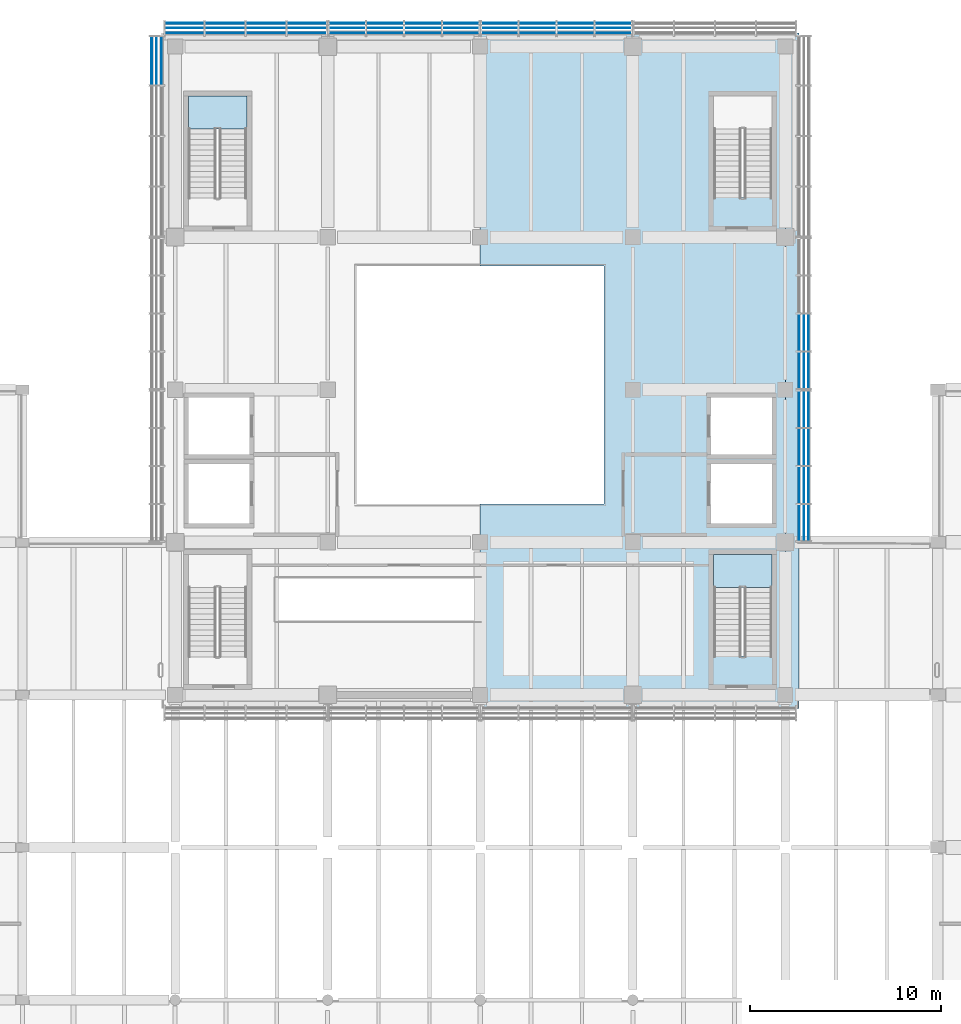
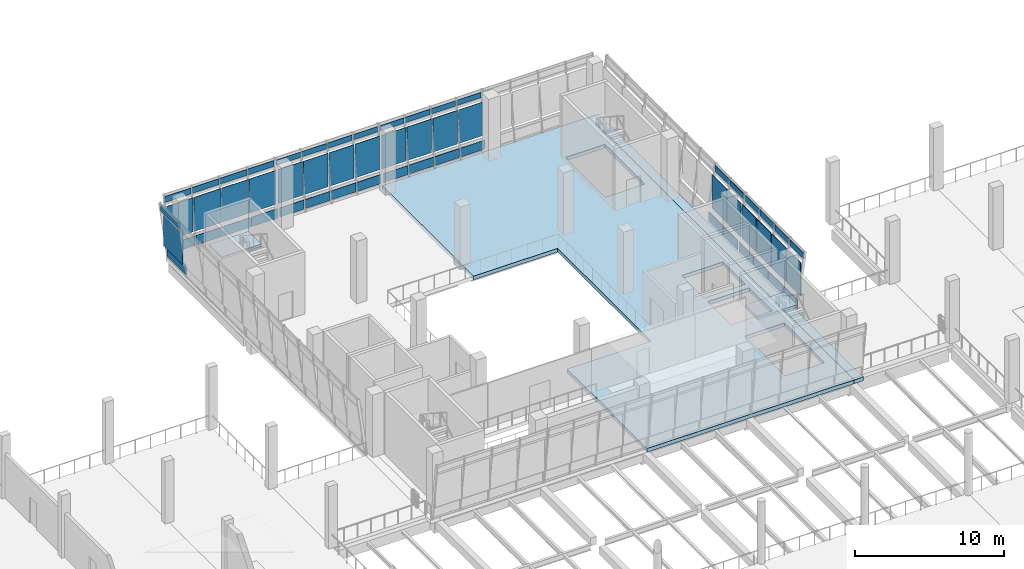
# One storey, part 29 of 61: 57 plates, 4 slabs, 8 elements without a shape of their own.
"""IFC4 building model written with IfcOpenShell, lengths in metres."""

from ifc_helpers import new_model, si_unit, direction, frame, origin, origin_2d, place, context, subcontext, project, spatial, polyline, rectangle, outline, extrude, material, layer, layer_set, type_object, element, aggregate, save


model = new_model("IFC4")

# Units and contexts
model_context = context("Model", 3, precision=1e-05, world=origin(), true_north=direction((0.0, 1.0)))
body_context = subcontext(model_context, "Body", "Model", "MODEL_VIEW")
ifc_project = project(units=[si_unit("LENGTHUNIT", "METRE"), si_unit("AREAUNIT", "SQUARE_METRE"), si_unit("VOLUMEUNIT", "CUBIC_METRE"), si_unit("PLANEANGLEUNIT", "RADIAN"), si_unit("MASSUNIT", "GRAM", prefix="KILO")], contexts=[model_context])

# Site, building, storey
site_placement = place(None, origin())
site = spatial("IfcSite", under=ifc_project, at=site_placement, CompositionType="ELEMENT")
building_placement = place(site_placement, origin())
building = spatial("IfcBuilding", under=site, at=building_placement, Name="Pecanmere Concourse Central Library", CompositionType="ELEMENT")
storey_placement = place(building_placement, frame((0.0, 0.0, 5.39990234375)))
storey = spatial("IfcBuildingStorey", under=building, at=storey_placement, Name="L02", CompositionType="ELEMENT", Elevation=5.39990234375)

# Curtain wall, plates
ifc_material_1 = material(Name="Anodized bronze aluminium alloy 6063-T6", Category="aluminium")
curtain_wall_type_1 = type_object("IfcCurtainWallType", Name="CW_PORTAL_CLEAR", PredefinedType="USERDEFINED", material=ifc_material_1)
curtain_wall_1_placement = place(storey_placement, origin())
curtain_wall_1 = element("IfcCurtainWall", 1, at=curtain_wall_1_placement, inside=storey, type_object=curtain_wall_type_1, Name="Unitised Curtain Wall CW-03 L02-009", ObjectType="UNITISED CURTAIN WALL", PredefinedType="USERDEFINED")
ifc_material_2 = material(Name="White ceramic-fritted insulated spandrel glazing", Category="glass")
ifc_layer_1 = layer(ifc_material_2, 0.06396484375, Name="CWP_SPN_64")
ifc_layer_set_1 = layer_set([ifc_layer_1], Name="White ceramic-fritted insulated spandrel glazing")
plate_type_1 = type_object("IfcPlateType", Name="CWP_SPN_64", PredefinedType="CURTAIN_PANEL", material=ifc_layer_set_1)
plate_1_placement = place(storey_placement, frame((94.97509765625, 124.717529296875, 0.2099609375), z_axis=(0.0, 0.0, 1.0), x_axis=(-1.0, 0.0, 0.0)))
plate_1 = element("IfcPlate", 2, at=plate_1_placement, type_object=plate_type_1, Name="CW-03 Spandrel Panel 1.1", PredefinedType="CURTAIN_PANEL", context=body_context, shape_type="SweptSolid", body=[
    extrude(rectangle(XDim=1.8701171875, YDim=0.0419921875, at=origin_2d()), origin(), (0.0, 0.0, 1.0), 0.735107421875),
])
plate_2_placement = place(storey_placement, frame((92.998779296875, 124.717529296875, 0.2099609375), z_axis=(0.0, 0.0, 1.0), x_axis=(-1.0, 0.0, 0.0)))
plate_2 = element("IfcPlate", 3, at=plate_2_placement, type_object=plate_type_1, Name="CW-03 Spandrel Panel 2.1", PredefinedType="CURTAIN_PANEL", context=body_context, shape_type="SweptSolid", body=[
    extrude(rectangle(XDim=1.91259765625, YDim=0.0419921875, at=origin_2d()), origin(), (0.0, 0.0, 1.0), 0.735107421875),
])
plate_3_placement = place(storey_placement, frame((91.001220703125, 124.717529296875, 0.2099609375), z_axis=(0.0, 0.0, 1.0), x_axis=(-1.0, 0.0, 0.0)))
plate_3 = element("IfcPlate", 4, at=plate_3_placement, type_object=plate_type_1, Name="CW-03 Spandrel Panel 3.1", PredefinedType="CURTAIN_PANEL", context=body_context, shape_type="SweptSolid", body=[
    extrude(rectangle(XDim=1.91259765625, YDim=0.0419921875, at=origin_2d()), origin(), (0.0, 0.0, 1.0), 0.735107421875),
])
plate_4_placement = place(storey_placement, frame((89.02490234375, 124.717529296875, 0.2099609375), z_axis=(0.0, 0.0, 1.0), x_axis=(-1.0, 0.0, 0.0)))
plate_4 = element("IfcPlate", 5, at=plate_4_placement, type_object=plate_type_1, Name="CW-03 Spandrel Panel 4.1", PredefinedType="CURTAIN_PANEL", context=body_context, shape_type="SweptSolid", body=[
    extrude(rectangle(XDim=1.8701171875, YDim=0.0419921875, at=origin_2d()), origin(), (0.0, 0.0, 1.0), 0.735107421875),
])

curtain_wall_2_placement = place(storey_placement, origin())
curtain_wall_2 = element("IfcCurtainWall", 6, at=curtain_wall_2_placement, inside=storey, type_object=curtain_wall_type_1, Name="Unitised Curtain Wall CW-03 L02-010", ObjectType="UNITISED CURTAIN WALL", PredefinedType="USERDEFINED")
plate_5_placement = place(storey_placement, frame((86.97509765625, 124.717529296875, 0.2099609375), z_axis=(0.0, 0.0, 1.0), x_axis=(-1.0, 0.0, 0.0)))
plate_5 = element("IfcPlate", 7, at=plate_5_placement, type_object=plate_type_1, Name="CW-03 Spandrel Panel 1.1", PredefinedType="CURTAIN_PANEL", context=body_context, shape_type="SweptSolid", body=[
    extrude(rectangle(XDim=1.8701171875, YDim=0.0419921875, at=origin_2d()), origin(), (0.0, 0.0, 1.0), 0.735107421875),
])
plate_6_placement = place(storey_placement, frame((84.998779296875, 124.717529296875, 0.2099609375), z_axis=(0.0, 0.0, 1.0), x_axis=(-1.0, 0.0, 0.0)))
plate_6 = element("IfcPlate", 8, at=plate_6_placement, type_object=plate_type_1, Name="CW-03 Spandrel Panel 2.1", PredefinedType="CURTAIN_PANEL", context=body_context, shape_type="SweptSolid", body=[
    extrude(rectangle(XDim=1.91259765625, YDim=0.0419921875, at=origin_2d()), origin(), (0.0, 0.0, 1.0), 0.735107421875),
])
plate_7_placement = place(storey_placement, frame((83.001220703125, 124.717529296875, 0.2099609375), z_axis=(0.0, 0.0, 1.0), x_axis=(-1.0, 0.0, 0.0)))
plate_7 = element("IfcPlate", 9, at=plate_7_placement, type_object=plate_type_1, Name="CW-03 Spandrel Panel 3.1", PredefinedType="CURTAIN_PANEL", context=body_context, shape_type="SweptSolid", body=[
    extrude(rectangle(XDim=1.91259765625, YDim=0.0419921875, at=origin_2d()), origin(), (0.0, 0.0, 1.0), 0.735107421875),
])
plate_8_placement = place(storey_placement, frame((81.02490234375, 124.717529296875, 0.2099609375), z_axis=(0.0, 0.0, 1.0), x_axis=(-1.0, 0.0, 0.0)))
plate_8 = element("IfcPlate", 10, at=plate_8_placement, type_object=plate_type_1, Name="CW-03 Spandrel Panel 4.1", PredefinedType="CURTAIN_PANEL", context=body_context, shape_type="SweptSolid", body=[
    extrude(rectangle(XDim=1.8701171875, YDim=0.0419921875, at=origin_2d()), origin(), (0.0, 0.0, 1.0), 0.735107421875),
])

ifc_material_3 = material(Name="Anodized bronze aluminium alloy 6063-T6", Category="aluminium")
curtain_wall_type_2 = type_object("IfcCurtainWallType", Name="CW_LEAN_BANDED", PredefinedType="USERDEFINED", material=ifc_material_3)
curtain_wall_3_placement = place(storey_placement, origin())
curtain_wall_3 = element("IfcCurtainWall", 11, at=curtain_wall_3_placement, inside=storey, type_object=curtain_wall_type_2, Name="Unitised Curtain Wall CW-01 L02-011", ObjectType="UNITISED CURTAIN WALL", PredefinedType="USERDEFINED")
plate_9_placement = place(storey_placement, frame((78.90185546875, 124.716552734375, 0.18017578125), z_axis=(0.0, 0.0, 1.0), x_axis=(-1.0, 0.0, 0.0)))
plate_9 = element("IfcPlate", 12, at=plate_9_placement, type_object=plate_type_1, Name="CW-01 Spandrel Panel 1.1", PredefinedType="CURTAIN_PANEL", context=body_context, shape_type="SweptSolid", body=[
    extrude(rectangle(XDim=2.036376953125, YDim=0.0419921875, at=origin_2d()), origin(), (0.0, 0.0, 1.0), 0.780029296875),
])
plate_10_placement = place(storey_placement, frame((76.771728515625, 124.716552734375, 0.18017578125), z_axis=(0.0, 0.0, 1.0), x_axis=(-1.0, 0.0, 0.0)))
plate_10 = element("IfcPlate", 13, at=plate_10_placement, type_object=plate_type_1, Name="CW-01 Spandrel Panel 2.1", PredefinedType="CURTAIN_PANEL", context=body_context, shape_type="SweptSolid", body=[
    extrude(rectangle(XDim=2.073974609375, YDim=0.0419921875, at=origin_2d()), origin(), (0.0, 0.0, 1.0), 0.780029296875),
])
plate_11_placement = place(storey_placement, frame((74.622802734375, 124.716552734375, 0.18017578125), z_axis=(0.0, 0.0, 1.0), x_axis=(-1.0, 0.0, 0.0)))
plate_11 = element("IfcPlate", 14, at=plate_11_placement, type_object=plate_type_1, Name="CW-01 Spandrel Panel 3.1", PredefinedType="CURTAIN_PANEL", context=body_context, shape_type="SweptSolid", body=[
    extrude(rectangle(XDim=2.073974609375, YDim=0.0419921875, at=origin_2d()), origin(), (0.0, 0.0, 1.0), 0.780029296875),
])
plate_12_placement = place(storey_placement, frame((72.49267578125, 124.716552734375, 0.18017578125), z_axis=(0.0, 0.0, 1.0), x_axis=(-1.0, 0.0, 0.0)))
plate_12 = element("IfcPlate", 15, at=plate_12_placement, type_object=plate_type_1, Name="CW-01 Spandrel Panel 4.1", PredefinedType="CURTAIN_PANEL", context=body_context, shape_type="SweptSolid", body=[
    extrude(rectangle(XDim=2.036376953125, YDim=0.0419921875, at=origin_2d()), origin(), (0.0, 0.0, 1.0), 0.780029296875),
])

curtain_wall_4_placement = place(storey_placement, origin())
curtain_wall_4 = element("IfcCurtainWall", 16, at=curtain_wall_4_placement, inside=storey, type_object=curtain_wall_type_2, Name="Unitised Curtain Wall CW-01 L02-016", ObjectType="UNITISED CURTAIN WALL", PredefinedType="USERDEFINED")
plate_13_placement = place(storey_placement, frame((104.716552734375, 99.0224609375, 0.18017578125), z_axis=(0.0, 0.0, 1.0), x_axis=(0.0, 1.0, 0.0)))
plate_13 = element("IfcPlate", 17, at=plate_13_placement, type_object=plate_type_1, Name="CW-01 Spandrel Panel 1.1", PredefinedType="CURTAIN_PANEL", context=body_context, shape_type="SweptSolid", body=[
    extrude(rectangle(XDim=1.885009765625, YDim=0.0419921875, at=origin_2d()), origin(), (0.0, 0.0, 1.0), 0.780029296875),
])
plate_14_placement = place(storey_placement, frame((104.716552734375, 101.001220703125, 0.18017578125), z_axis=(0.0, 0.0, 1.0), x_axis=(0.0, 1.0, 0.0)))
plate_14 = element("IfcPlate", 18, at=plate_14_placement, type_object=plate_type_1, Name="CW-01 Spandrel Panel 2.1", PredefinedType="CURTAIN_PANEL", context=body_context, shape_type="SweptSolid", body=[
    extrude(rectangle(XDim=1.922607421875, YDim=0.0419921875, at=origin_2d()), origin(), (0.0, 0.0, 1.0), 0.780029296875),
])
plate_15_placement = place(storey_placement, frame((104.716552734375, 102.998779296875, 0.18017578125), z_axis=(0.0, 0.0, 1.0), x_axis=(0.0, 1.0, 0.0)))
plate_15 = element("IfcPlate", 19, at=plate_15_placement, type_object=plate_type_1, Name="CW-01 Spandrel Panel 3.1", PredefinedType="CURTAIN_PANEL", context=body_context, shape_type="SweptSolid", body=[
    extrude(rectangle(XDim=1.922607421875, YDim=0.0419921875, at=origin_2d()), origin(), (0.0, 0.0, 1.0), 0.780029296875),
])
plate_16_placement = place(storey_placement, frame((104.716552734375, 104.9775390625, 0.18017578125), z_axis=(0.0, 0.0, 1.0), x_axis=(0.0, 1.0, 0.0)))
plate_16 = element("IfcPlate", 20, at=plate_16_placement, type_object=plate_type_1, Name="CW-01 Spandrel Panel 4.1", PredefinedType="CURTAIN_PANEL", context=body_context, shape_type="SweptSolid", body=[
    extrude(rectangle(XDim=1.885009765625, YDim=0.0419921875, at=origin_2d()), origin(), (0.0, 0.0, 1.0), 0.780029296875),
])

curtain_wall_5_placement = place(storey_placement, origin())
curtain_wall_5 = element("IfcCurtainWall", 21, at=curtain_wall_5_placement, inside=storey, type_object=curtain_wall_type_2, Name="Unitised Curtain Wall CW-01 L02-017", ObjectType="UNITISED CURTAIN WALL", PredefinedType="USERDEFINED")
plate_17_placement = place(storey_placement, frame((104.716552734375, 107.0224609375, 0.18017578125), z_axis=(0.0, 0.0, 1.0), x_axis=(0.0, 1.0, 0.0)))
plate_17 = element("IfcPlate", 22, at=plate_17_placement, type_object=plate_type_1, Name="CW-01 Spandrel Panel 1.1", PredefinedType="CURTAIN_PANEL", context=body_context, shape_type="SweptSolid", body=[
    extrude(rectangle(XDim=1.885009765625, YDim=0.0419921875, at=origin_2d()), origin(), (0.0, 0.0, 1.0), 0.780029296875),
])
plate_18_placement = place(storey_placement, frame((104.716552734375, 109.001220703125, 0.18017578125), z_axis=(0.0, 0.0, 1.0), x_axis=(0.0, 1.0, 0.0)))
plate_18 = element("IfcPlate", 23, at=plate_18_placement, type_object=plate_type_1, Name="CW-01 Spandrel Panel 2.1", PredefinedType="CURTAIN_PANEL", context=body_context, shape_type="SweptSolid", body=[
    extrude(rectangle(XDim=1.922607421875, YDim=0.0419921875, at=origin_2d()), origin(), (0.0, 0.0, 1.0), 0.780029296875),
])

# Curtain wall, plate
curtain_wall_6_placement = place(storey_placement, origin())
curtain_wall_6 = element("IfcCurtainWall", 24, at=curtain_wall_6_placement, inside=storey, type_object=curtain_wall_type_2, Name="Unitised Curtain Wall CW-01 L02-019", ObjectType="UNITISED CURTAIN WALL", PredefinedType="USERDEFINED")
plate_19_placement = place(storey_placement, frame((71.283447265625, 123.25732421875, 0.18017578125), z_axis=(0.0, 0.0, 1.0), x_axis=(0.0, -1.0, 0.0)))
plate_19 = element("IfcPlate", 25, at=plate_19_placement, type_object=plate_type_1, Name="CW-01 Spandrel Panel 1.1", PredefinedType="CURTAIN_PANEL", context=body_context, shape_type="SweptSolid", body=[
    extrude(rectangle(XDim=2.536376953125, YDim=0.0419921875, at=origin_2d()), origin(), (0.0, 0.0, 1.0), 0.780029296875),
])

# Plate
ifc_material_4 = material(Name="Low-iron clear insulated glazing", Category="glass")
ifc_layer_2 = layer(ifc_material_4, 0.0419921875, Name="CWP_VIS_42")
ifc_layer_set_2 = layer_set([ifc_layer_2], Name="Low-iron clear insulated glazing")
plate_type_2 = type_object("IfcPlateType", Name="CWP_VIS_42", PredefinedType="CURTAIN_PANEL", material=ifc_layer_set_2)
plate_20_placement = place(storey_placement, frame((94.97509765625, 124.97802734375, 1.155029296875), z_axis=(0.0, 0.0, 1.0), x_axis=(-1.0, 0.0, 0.0)))
plate_20 = element("IfcPlate", 26, at=plate_20_placement, type_object=plate_type_2, Name="CW-03 Vision Panel 1.2", PredefinedType="CURTAIN_PANEL", context=body_context, shape_type="SweptSolid", body=[
    extrude(rectangle(XDim=1.8701171875, YDim=0.0419921875, at=origin_2d()), origin(), (0.0, 0.0, 1.0), 2.75),
])

plate_21_placement = place(storey_placement, frame((94.97509765625, 125.218505859375, 4.114990234375), z_axis=(0.0, 0.0, 1.0), x_axis=(-1.0, 0.0, 0.0)))
plate_21 = element("IfcPlate", 27, at=plate_21_placement, type_object=plate_type_2, Name="CW-03 Vision Panel 1.3", PredefinedType="CURTAIN_PANEL", context=body_context, shape_type="SweptSolid", body=[
    extrude(rectangle(XDim=1.8701171875, YDim=0.0419921875, at=origin_2d()), origin(), (0.0, 0.0, 1.0), 0.43505859375),
])

plate_22_placement = place(storey_placement, frame((92.998779296875, 124.97802734375, 1.155029296875), z_axis=(0.0, 0.0, 1.0), x_axis=(-1.0, 0.0, 0.0)))
plate_22 = element("IfcPlate", 28, at=plate_22_placement, type_object=plate_type_2, Name="CW-03 Vision Panel 2.2", PredefinedType="CURTAIN_PANEL", context=body_context, shape_type="SweptSolid", body=[
    extrude(rectangle(XDim=1.91259765625, YDim=0.0419921875, at=origin_2d()), origin(), (0.0, 0.0, 1.0), 2.75),
])

plate_23_placement = place(storey_placement, frame((92.998779296875, 125.218505859375, 4.114990234375), z_axis=(0.0, 0.0, 1.0), x_axis=(-1.0, 0.0, 0.0)))
plate_23 = element("IfcPlate", 29, at=plate_23_placement, type_object=plate_type_2, Name="CW-03 Vision Panel 2.3", PredefinedType="CURTAIN_PANEL", context=body_context, shape_type="SweptSolid", body=[
    extrude(rectangle(XDim=1.91259765625, YDim=0.0419921875, at=origin_2d()), origin(), (0.0, 0.0, 1.0), 0.43505859375),
])

plate_24_placement = place(storey_placement, frame((91.001220703125, 124.97802734375, 1.155029296875), z_axis=(0.0, 0.0, 1.0), x_axis=(-1.0, 0.0, 0.0)))
plate_24 = element("IfcPlate", 30, at=plate_24_placement, type_object=plate_type_2, Name="CW-03 Vision Panel 3.2", PredefinedType="CURTAIN_PANEL", context=body_context, shape_type="SweptSolid", body=[
    extrude(rectangle(XDim=1.91259765625, YDim=0.0419921875, at=origin_2d()), origin(), (0.0, 0.0, 1.0), 2.75),
])

plate_25_placement = place(storey_placement, frame((91.001220703125, 125.218505859375, 4.114990234375), z_axis=(0.0, 0.0, 1.0), x_axis=(-1.0, 0.0, 0.0)))
plate_25 = element("IfcPlate", 31, at=plate_25_placement, type_object=plate_type_2, Name="CW-03 Vision Panel 3.3", PredefinedType="CURTAIN_PANEL", context=body_context, shape_type="SweptSolid", body=[
    extrude(rectangle(XDim=1.91259765625, YDim=0.0419921875, at=origin_2d()), origin(), (0.0, 0.0, 1.0), 0.43505859375),
])

plate_26_placement = place(storey_placement, frame((89.02490234375, 124.97802734375, 1.155029296875), z_axis=(0.0, 0.0, 1.0), x_axis=(-1.0, 0.0, 0.0)))
plate_26 = element("IfcPlate", 32, at=plate_26_placement, type_object=plate_type_2, Name="CW-03 Vision Panel 4.2", PredefinedType="CURTAIN_PANEL", context=body_context, shape_type="SweptSolid", body=[
    extrude(rectangle(XDim=1.8701171875, YDim=0.0419921875, at=origin_2d()), origin(), (0.0, 0.0, 1.0), 2.75),
])

plate_27_placement = place(storey_placement, frame((89.02490234375, 125.218505859375, 4.114990234375), z_axis=(0.0, 0.0, 1.0), x_axis=(-1.0, 0.0, 0.0)))
plate_27 = element("IfcPlate", 33, at=plate_27_placement, type_object=plate_type_2, Name="CW-03 Vision Panel 4.3", PredefinedType="CURTAIN_PANEL", context=body_context, shape_type="SweptSolid", body=[
    extrude(rectangle(XDim=1.8701171875, YDim=0.0419921875, at=origin_2d()), origin(), (0.0, 0.0, 1.0), 0.43505859375),
])

aggregate(curtain_wall_1, [plate_1, plate_20, plate_21, plate_2, plate_22, plate_23, plate_3, plate_24, plate_25, plate_4, plate_26, plate_27])

plate_28_placement = place(storey_placement, frame((86.97509765625, 124.97802734375, 1.155029296875), z_axis=(0.0, 0.0, 1.0), x_axis=(-1.0, 0.0, 0.0)))
plate_28 = element("IfcPlate", 34, at=plate_28_placement, type_object=plate_type_2, Name="CW-03 Vision Panel 1.2", PredefinedType="CURTAIN_PANEL", context=body_context, shape_type="SweptSolid", body=[
    extrude(rectangle(XDim=1.8701171875, YDim=0.0419921875, at=origin_2d()), origin(), (0.0, 0.0, 1.0), 2.75),
])

plate_29_placement = place(storey_placement, frame((86.97509765625, 125.218505859375, 4.114990234375), z_axis=(0.0, 0.0, 1.0), x_axis=(-1.0, 0.0, 0.0)))
plate_29 = element("IfcPlate", 35, at=plate_29_placement, type_object=plate_type_2, Name="CW-03 Vision Panel 1.3", PredefinedType="CURTAIN_PANEL", context=body_context, shape_type="SweptSolid", body=[
    extrude(rectangle(XDim=1.8701171875, YDim=0.0419921875, at=origin_2d()), origin(), (0.0, 0.0, 1.0), 0.43505859375),
])

plate_30_placement = place(storey_placement, frame((84.998779296875, 124.97802734375, 1.155029296875), z_axis=(0.0, 0.0, 1.0), x_axis=(-1.0, 0.0, 0.0)))
plate_30 = element("IfcPlate", 36, at=plate_30_placement, type_object=plate_type_2, Name="CW-03 Vision Panel 2.2", PredefinedType="CURTAIN_PANEL", context=body_context, shape_type="SweptSolid", body=[
    extrude(rectangle(XDim=1.91259765625, YDim=0.0419921875, at=origin_2d()), origin(), (0.0, 0.0, 1.0), 2.75),
])

plate_31_placement = place(storey_placement, frame((84.998779296875, 125.218505859375, 4.114990234375), z_axis=(0.0, 0.0, 1.0), x_axis=(-1.0, 0.0, 0.0)))
plate_31 = element("IfcPlate", 37, at=plate_31_placement, type_object=plate_type_2, Name="CW-03 Vision Panel 2.3", PredefinedType="CURTAIN_PANEL", context=body_context, shape_type="SweptSolid", body=[
    extrude(rectangle(XDim=1.91259765625, YDim=0.0419921875, at=origin_2d()), origin(), (0.0, 0.0, 1.0), 0.43505859375),
])

plate_32_placement = place(storey_placement, frame((83.001220703125, 124.97802734375, 1.155029296875), z_axis=(0.0, 0.0, 1.0), x_axis=(-1.0, 0.0, 0.0)))
plate_32 = element("IfcPlate", 38, at=plate_32_placement, type_object=plate_type_2, Name="CW-03 Vision Panel 3.2", PredefinedType="CURTAIN_PANEL", context=body_context, shape_type="SweptSolid", body=[
    extrude(rectangle(XDim=1.91259765625, YDim=0.0419921875, at=origin_2d()), origin(), (0.0, 0.0, 1.0), 2.75),
])

plate_33_placement = place(storey_placement, frame((83.001220703125, 125.218505859375, 4.114990234375), z_axis=(0.0, 0.0, 1.0), x_axis=(-1.0, 0.0, 0.0)))
plate_33 = element("IfcPlate", 39, at=plate_33_placement, type_object=plate_type_2, Name="CW-03 Vision Panel 3.3", PredefinedType="CURTAIN_PANEL", context=body_context, shape_type="SweptSolid", body=[
    extrude(rectangle(XDim=1.91259765625, YDim=0.0419921875, at=origin_2d()), origin(), (0.0, 0.0, 1.0), 0.43505859375),
])

plate_34_placement = place(storey_placement, frame((81.02490234375, 124.97802734375, 1.155029296875), z_axis=(0.0, 0.0, 1.0), x_axis=(-1.0, 0.0, 0.0)))
plate_34 = element("IfcPlate", 40, at=plate_34_placement, type_object=plate_type_2, Name="CW-03 Vision Panel 4.2", PredefinedType="CURTAIN_PANEL", context=body_context, shape_type="SweptSolid", body=[
    extrude(rectangle(XDim=1.8701171875, YDim=0.0419921875, at=origin_2d()), origin(), (0.0, 0.0, 1.0), 2.75),
])

plate_35_placement = place(storey_placement, frame((81.02490234375, 125.218505859375, 4.114990234375), z_axis=(0.0, 0.0, 1.0), x_axis=(-1.0, 0.0, 0.0)))
plate_35 = element("IfcPlate", 41, at=plate_35_placement, type_object=plate_type_2, Name="CW-03 Vision Panel 4.3", PredefinedType="CURTAIN_PANEL", context=body_context, shape_type="SweptSolid", body=[
    extrude(rectangle(XDim=1.8701171875, YDim=0.0419921875, at=origin_2d()), origin(), (0.0, 0.0, 1.0), 0.43505859375),
])

aggregate(curtain_wall_2, [plate_5, plate_28, plate_29, plate_6, plate_30, plate_31, plate_7, plate_32, plate_33, plate_8, plate_34, plate_35])

plate_36_placement = place(storey_placement, frame((78.90185546875, 124.97802734375, 1.14013671875), z_axis=(0.0, 0.0, 1.0), x_axis=(-1.0, 0.0, 0.0)))
plate_36 = element("IfcPlate", 42, at=plate_36_placement, type_object=plate_type_2, Name="CW-01 Vision Panel 1.2", PredefinedType="CURTAIN_PANEL", context=body_context, shape_type="SweptSolid", body=[
    extrude(rectangle(XDim=2.036376953125, YDim=0.0419921875, at=origin_2d()), origin(), (0.0, 0.0, 1.0), 2.780029296875),
])

plate_37_placement = place(storey_placement, frame((78.90185546875, 125.219482421875, 4.10009765625), z_axis=(0.0, 0.0, 1.0), x_axis=(-1.0, 0.0, 0.0)))
plate_37 = element("IfcPlate", 43, at=plate_37_placement, type_object=plate_type_2, Name="CW-01 Vision Panel 1.3", PredefinedType="CURTAIN_PANEL", context=body_context, shape_type="SweptSolid", body=[
    extrude(rectangle(XDim=2.036376953125, YDim=0.0419921875, at=origin_2d()), origin(), (0.0, 0.0, 1.0), 0.47998046875),
])

plate_38_placement = place(storey_placement, frame((76.771728515625, 124.97802734375, 1.14013671875), z_axis=(0.0, 0.0, 1.0), x_axis=(-1.0, 0.0, 0.0)))
plate_38 = element("IfcPlate", 44, at=plate_38_placement, type_object=plate_type_2, Name="CW-01 Vision Panel 2.2", PredefinedType="CURTAIN_PANEL", context=body_context, shape_type="SweptSolid", body=[
    extrude(rectangle(XDim=2.073974609375, YDim=0.0419921875, at=origin_2d()), origin(), (0.0, 0.0, 1.0), 2.780029296875),
])

plate_39_placement = place(storey_placement, frame((76.771728515625, 125.219482421875, 4.10009765625), z_axis=(0.0, 0.0, 1.0), x_axis=(-1.0, 0.0, 0.0)))
plate_39 = element("IfcPlate", 45, at=plate_39_placement, type_object=plate_type_2, Name="CW-01 Vision Panel 2.3", PredefinedType="CURTAIN_PANEL", context=body_context, shape_type="SweptSolid", body=[
    extrude(rectangle(XDim=2.073974609375, YDim=0.0419921875, at=origin_2d()), origin(), (0.0, 0.0, 1.0), 0.47998046875),
])

plate_40_placement = place(storey_placement, frame((74.622802734375, 124.97802734375, 1.14013671875), z_axis=(0.0, 0.0, 1.0), x_axis=(-1.0, 0.0, 0.0)))
plate_40 = element("IfcPlate", 46, at=plate_40_placement, type_object=plate_type_2, Name="CW-01 Vision Panel 3.2", PredefinedType="CURTAIN_PANEL", context=body_context, shape_type="SweptSolid", body=[
    extrude(rectangle(XDim=2.073974609375, YDim=0.0419921875, at=origin_2d()), origin(), (0.0, 0.0, 1.0), 2.780029296875),
])

plate_41_placement = place(storey_placement, frame((74.622802734375, 125.219482421875, 4.10009765625), z_axis=(0.0, 0.0, 1.0), x_axis=(-1.0, 0.0, 0.0)))
plate_41 = element("IfcPlate", 47, at=plate_41_placement, type_object=plate_type_2, Name="CW-01 Vision Panel 3.3", PredefinedType="CURTAIN_PANEL", context=body_context, shape_type="SweptSolid", body=[
    extrude(rectangle(XDim=2.073974609375, YDim=0.0419921875, at=origin_2d()), origin(), (0.0, 0.0, 1.0), 0.47998046875),
])

plate_42_placement = place(storey_placement, frame((72.49267578125, 124.97802734375, 1.14013671875), z_axis=(0.0, 0.0, 1.0), x_axis=(-1.0, 0.0, 0.0)))
plate_42 = element("IfcPlate", 48, at=plate_42_placement, type_object=plate_type_2, Name="CW-01 Vision Panel 4.2", PredefinedType="CURTAIN_PANEL", context=body_context, shape_type="SweptSolid", body=[
    extrude(rectangle(XDim=2.036376953125, YDim=0.0419921875, at=origin_2d()), origin(), (0.0, 0.0, 1.0), 2.780029296875),
])

plate_43_placement = place(storey_placement, frame((72.49267578125, 125.219482421875, 4.10009765625), z_axis=(0.0, 0.0, 1.0), x_axis=(-1.0, 0.0, 0.0)))
plate_43 = element("IfcPlate", 49, at=plate_43_placement, type_object=plate_type_2, Name="CW-01 Vision Panel 4.3", PredefinedType="CURTAIN_PANEL", context=body_context, shape_type="SweptSolid", body=[
    extrude(rectangle(XDim=2.036376953125, YDim=0.0419921875, at=origin_2d()), origin(), (0.0, 0.0, 1.0), 0.47998046875),
])

aggregate(curtain_wall_3, [plate_9, plate_36, plate_37, plate_10, plate_38, plate_39, plate_11, plate_40, plate_41, plate_12, plate_42, plate_43])

plate_44_placement = place(storey_placement, frame((104.97802734375, 99.0224609375, 1.14013671875), z_axis=(0.0, 0.0, 1.0), x_axis=(0.0, 1.0, 0.0)))
plate_44 = element("IfcPlate", 50, at=plate_44_placement, type_object=plate_type_2, Name="CW-01 Vision Panel 1.2", PredefinedType="CURTAIN_PANEL", context=body_context, shape_type="SweptSolid", body=[
    extrude(rectangle(XDim=1.885009765625, YDim=0.0419921875, at=origin_2d()), origin(), (0.0, 0.0, 1.0), 2.780029296875),
])

plate_45_placement = place(storey_placement, frame((105.219482421875, 99.0224609375, 4.10009765625), z_axis=(0.0, 0.0, 1.0), x_axis=(0.0, 1.0, 0.0)))
plate_45 = element("IfcPlate", 51, at=plate_45_placement, type_object=plate_type_2, Name="CW-01 Vision Panel 1.3", PredefinedType="CURTAIN_PANEL", context=body_context, shape_type="SweptSolid", body=[
    extrude(rectangle(XDim=1.885009765625, YDim=0.0419921875, at=origin_2d()), origin(), (0.0, 0.0, 1.0), 0.47998046875),
])

plate_46_placement = place(storey_placement, frame((104.97802734375, 101.001220703125, 1.14013671875), z_axis=(0.0, 0.0, 1.0), x_axis=(0.0, 1.0, 0.0)))
plate_46 = element("IfcPlate", 52, at=plate_46_placement, type_object=plate_type_2, Name="CW-01 Vision Panel 2.2", PredefinedType="CURTAIN_PANEL", context=body_context, shape_type="SweptSolid", body=[
    extrude(rectangle(XDim=1.922607421875, YDim=0.0419921875, at=origin_2d()), origin(), (0.0, 0.0, 1.0), 2.780029296875),
])

plate_47_placement = place(storey_placement, frame((105.219482421875, 101.001220703125, 4.10009765625), z_axis=(0.0, 0.0, 1.0), x_axis=(0.0, 1.0, 0.0)))
plate_47 = element("IfcPlate", 53, at=plate_47_placement, type_object=plate_type_2, Name="CW-01 Vision Panel 2.3", PredefinedType="CURTAIN_PANEL", context=body_context, shape_type="SweptSolid", body=[
    extrude(rectangle(XDim=1.922607421875, YDim=0.0419921875, at=origin_2d()), origin(), (0.0, 0.0, 1.0), 0.47998046875),
])

plate_48_placement = place(storey_placement, frame((104.97802734375, 102.998779296875, 1.14013671875), z_axis=(0.0, 0.0, 1.0), x_axis=(0.0, 1.0, 0.0)))
plate_48 = element("IfcPlate", 54, at=plate_48_placement, type_object=plate_type_2, Name="CW-01 Vision Panel 3.2", PredefinedType="CURTAIN_PANEL", context=body_context, shape_type="SweptSolid", body=[
    extrude(rectangle(XDim=1.922607421875, YDim=0.0419921875, at=origin_2d()), origin(), (0.0, 0.0, 1.0), 2.780029296875),
])

plate_49_placement = place(storey_placement, frame((105.219482421875, 102.998779296875, 4.10009765625), z_axis=(0.0, 0.0, 1.0), x_axis=(0.0, 1.0, 0.0)))
plate_49 = element("IfcPlate", 55, at=plate_49_placement, type_object=plate_type_2, Name="CW-01 Vision Panel 3.3", PredefinedType="CURTAIN_PANEL", context=body_context, shape_type="SweptSolid", body=[
    extrude(rectangle(XDim=1.922607421875, YDim=0.0419921875, at=origin_2d()), origin(), (0.0, 0.0, 1.0), 0.47998046875),
])

plate_50_placement = place(storey_placement, frame((104.97802734375, 104.9775390625, 1.14013671875), z_axis=(0.0, 0.0, 1.0), x_axis=(0.0, 1.0, 0.0)))
plate_50 = element("IfcPlate", 56, at=plate_50_placement, type_object=plate_type_2, Name="CW-01 Vision Panel 4.2", PredefinedType="CURTAIN_PANEL", context=body_context, shape_type="SweptSolid", body=[
    extrude(rectangle(XDim=1.885009765625, YDim=0.0419921875, at=origin_2d()), origin(), (0.0, 0.0, 1.0), 2.780029296875),
])

plate_51_placement = place(storey_placement, frame((105.219482421875, 104.9775390625, 4.10009765625), z_axis=(0.0, 0.0, 1.0), x_axis=(0.0, 1.0, 0.0)))
plate_51 = element("IfcPlate", 57, at=plate_51_placement, type_object=plate_type_2, Name="CW-01 Vision Panel 4.3", PredefinedType="CURTAIN_PANEL", context=body_context, shape_type="SweptSolid", body=[
    extrude(rectangle(XDim=1.885009765625, YDim=0.0419921875, at=origin_2d()), origin(), (0.0, 0.0, 1.0), 0.47998046875),
])

aggregate(curtain_wall_4, [plate_13, plate_44, plate_45, plate_14, plate_46, plate_47, plate_15, plate_48, plate_49, plate_16, plate_50, plate_51])

plate_52_placement = place(storey_placement, frame((104.97802734375, 107.0224609375, 1.14013671875), z_axis=(0.0, 0.0, 1.0), x_axis=(0.0, 1.0, 0.0)))
plate_52 = element("IfcPlate", 58, at=plate_52_placement, type_object=plate_type_2, Name="CW-01 Vision Panel 1.2", PredefinedType="CURTAIN_PANEL", context=body_context, shape_type="SweptSolid", body=[
    extrude(rectangle(XDim=1.885009765625, YDim=0.0419921875, at=origin_2d()), origin(), (0.0, 0.0, 1.0), 2.780029296875),
])

plate_53_placement = place(storey_placement, frame((105.219482421875, 107.0224609375, 4.10009765625), z_axis=(0.0, 0.0, 1.0), x_axis=(0.0, 1.0, 0.0)))
plate_53 = element("IfcPlate", 59, at=plate_53_placement, type_object=plate_type_2, Name="CW-01 Vision Panel 1.3", PredefinedType="CURTAIN_PANEL", context=body_context, shape_type="SweptSolid", body=[
    extrude(rectangle(XDim=1.885009765625, YDim=0.0419921875, at=origin_2d()), origin(), (0.0, 0.0, 1.0), 0.47998046875),
])

plate_54_placement = place(storey_placement, frame((104.97802734375, 109.001220703125, 1.14013671875), z_axis=(0.0, 0.0, 1.0), x_axis=(0.0, 1.0, 0.0)))
plate_54 = element("IfcPlate", 60, at=plate_54_placement, type_object=plate_type_2, Name="CW-01 Vision Panel 2.2", PredefinedType="CURTAIN_PANEL", context=body_context, shape_type="SweptSolid", body=[
    extrude(rectangle(XDim=1.922607421875, YDim=0.0419921875, at=origin_2d()), origin(), (0.0, 0.0, 1.0), 2.780029296875),
])

plate_55_placement = place(storey_placement, frame((105.219482421875, 109.001220703125, 4.10009765625), z_axis=(0.0, 0.0, 1.0), x_axis=(0.0, 1.0, 0.0)))
plate_55 = element("IfcPlate", 61, at=plate_55_placement, type_object=plate_type_2, Name="CW-01 Vision Panel 2.3", PredefinedType="CURTAIN_PANEL", context=body_context, shape_type="SweptSolid", body=[
    extrude(rectangle(XDim=1.922607421875, YDim=0.0419921875, at=origin_2d()), origin(), (0.0, 0.0, 1.0), 0.47998046875),
])

aggregate(curtain_wall_5, [plate_17, plate_52, plate_53, plate_18, plate_54, plate_55])

plate_56_placement = place(storey_placement, frame((71.02197265625, 123.25732421875, 1.14013671875), z_axis=(0.0, 0.0, 1.0), x_axis=(0.0, -1.0, 0.0)))
plate_56 = element("IfcPlate", 62, at=plate_56_placement, type_object=plate_type_2, Name="CW-01 Vision Panel 1.2", PredefinedType="CURTAIN_PANEL", context=body_context, shape_type="SweptSolid", body=[
    extrude(rectangle(XDim=2.536376953125, YDim=0.0419921875, at=origin_2d()), origin(), (0.0, 0.0, 1.0), 2.780029296875),
])

plate_57_placement = place(storey_placement, frame((70.780517578125, 123.25732421875, 4.10009765625), z_axis=(0.0, 0.0, 1.0), x_axis=(0.0, -1.0, 0.0)))
plate_57 = element("IfcPlate", 63, at=plate_57_placement, type_object=plate_type_2, Name="CW-01 Vision Panel 1.3", PredefinedType="CURTAIN_PANEL", context=body_context, shape_type="SweptSolid", body=[
    extrude(rectangle(XDim=2.536376953125, YDim=0.0419921875, at=origin_2d()), origin(), (0.0, 0.0, 1.0), 0.47998046875),
])

aggregate(curtain_wall_6, [plate_19, plate_56, plate_57])

# Stair, slab
ifc_material_5 = material(Name="Concrete C35/45", Category="concrete")
stair_type_1 = type_object("IfcStairType", Name="STAIR_TYPE_ST-02-1821", PredefinedType="USERDEFINED", material=ifc_material_5)
stair_1_placement = place(storey_placement, origin())
stair_1 = element("IfcStair", 64, at=stair_1_placement, inside=storey, type_object=stair_type_1, Name="L02 Protected Stair ST-02", ObjectType="TWO_RETURN_STAIR", PredefinedType="USERDEFINED")
ifc_material_6 = material(Name="Concrete C35/45", Category="concrete")
ifc_layer_3 = layer(ifc_material_6, 0.199951171875, Name="SLAB_LANDING_200")
ifc_layer_set_3 = layer_set([ifc_layer_3], Name="Concrete C35/45")
slab_type_1 = type_object("IfcSlabType", Name="SLAB_LANDING_200", PredefinedType="LANDING", material=ifc_layer_set_3)
slab_1_placement = place(storey_placement, frame((0.0, 0.0, 2.35009765625)))
slab_1 = element("IfcSlab", 65, at=slab_1_placement, type_object=slab_type_1, Name="ST-02-1821 landing 1", PredefinedType="LANDING", context=body_context, shape_type="SweptSolid", body=[
    extrude(outline(polyline([(103.300048828125, 95.639892578125), (103.300048828125, 97.3701171875), (100.239990234375, 97.3701171875), (100.239990234375, 95.639892578125), (103.300048828125, 95.639892578125)])), origin(), (0.0, 0.0, 1.0), 0.199951171875),
])
aggregate(stair_1, [slab_1])

ifc_material_7 = material(Name="Concrete C35/45", Category="concrete")
stair_type_2 = type_object("IfcStairType", Name="STAIR_TYPE_ST-03-1821", PredefinedType="USERDEFINED", material=ifc_material_7)
stair_2_placement = place(storey_placement, origin())
stair_2 = element("IfcStair", 66, at=stair_2_placement, inside=storey, type_object=stair_type_2, Name="L02 Protected Stair ST-03", ObjectType="TWO_RETURN_STAIR", PredefinedType="USERDEFINED")
slab_2_placement = place(storey_placement, frame((0.0, 0.0, 2.35009765625)))
slab_2 = element("IfcSlab", 67, at=slab_2_placement, type_object=slab_type_1, Name="ST-03-1821 landing 1", PredefinedType="LANDING", context=body_context, shape_type="SweptSolid", body=[
    extrude(outline(polyline([(75.760009765625, 119.68994140625), (75.760009765625, 121.419921875), (72.699951171875, 121.419921875), (72.699951171875, 119.68994140625), (75.760009765625, 119.68994140625)])), origin(), (0.0, 0.0, 1.0), 0.199951171875),
])
aggregate(stair_2, [slab_2])

# Slabs
ifc_material_8 = material(Name="Concrete C35/45", Category="concrete")
ifc_layer_4 = layer(ifc_material_8, 0.300048828125, Name="SLAB_STACK_300")
ifc_layer_set_4 = layer_set([ifc_layer_4], Name="Concrete C35/45")
slab_type_2 = type_object("IfcSlabType", Name="SLAB_STACK_300", PredefinedType="FLOOR", material=ifc_layer_set_4)
slab_3_placement = place(storey_placement, frame((0.0, 0.0, -0.2998046875)))
element("IfcSlab", 68, at=slab_3_placement, inside=storey, type_object=slab_type_2, Name="Floor Slab V1 L02-068", PredefinedType="FLOOR", context=body_context, shape_type="SweptSolid", body=[
    extrude(outline(polyline([(88.0, 89.279541015625), (88.0, 93.89990234375), (88.070068359375, 93.89990234375), (88.070068359375, 96.10009765625), (88.0, 96.10009765625), (88.0, 100.0), (94.5, 100.0), (94.5, 112.5), (88.0, 112.5), (88.0, 124.720458984375), (104.0, 124.720458984375), (104.0, 89.279541015625), (88.0, 89.279541015625)]), holes=[polyline([(103.300048828125, 97.3701171875), (100.239990234375, 97.3701171875), (100.239990234375, 92.030029296875), (103.300048828125, 92.030029296875), (103.300048828125, 97.3701171875)]), polyline([(103.300048828125, 102.10009765625), (100.10009765625, 102.10009765625), (100.10009765625, 99.0), (103.300048828125, 99.0), (103.300048828125, 102.10009765625)]), polyline([(103.300048828125, 102.60009765625), (103.300048828125, 105.60009765625), (100.10009765625, 105.60009765625), (100.10009765625, 102.60009765625), (103.300048828125, 102.60009765625)]), polyline([(103.300048828125, 116.080078125), (103.300048828125, 121.419921875), (100.239990234375, 121.419921875), (100.239990234375, 116.080078125), (103.300048828125, 116.080078125)])]), origin(), (0.0, 0.0, 1.0), 0.2998046875),
])
slab_4_placement = place(storey_placement, frame((0.0, 0.0, -0.2998046875)))
element("IfcSlab", 69, at=slab_4_placement, inside=storey, type_object=slab_type_2, Name="Floor Slab V1 L02-069", PredefinedType="FLOOR", context=body_context, shape_type="SweptSolid", body=[
    extrude(outline(polyline([(104.0, 89.279541015625), (104.0, 124.720458984375), (104.720458984375, 124.720458984375), (104.720458984375, 89.279541015625), (104.0, 89.279541015625)])), origin(), (0.0, 0.0, 1.0), 0.2998046875),
])

save(model, "model.ifc")
